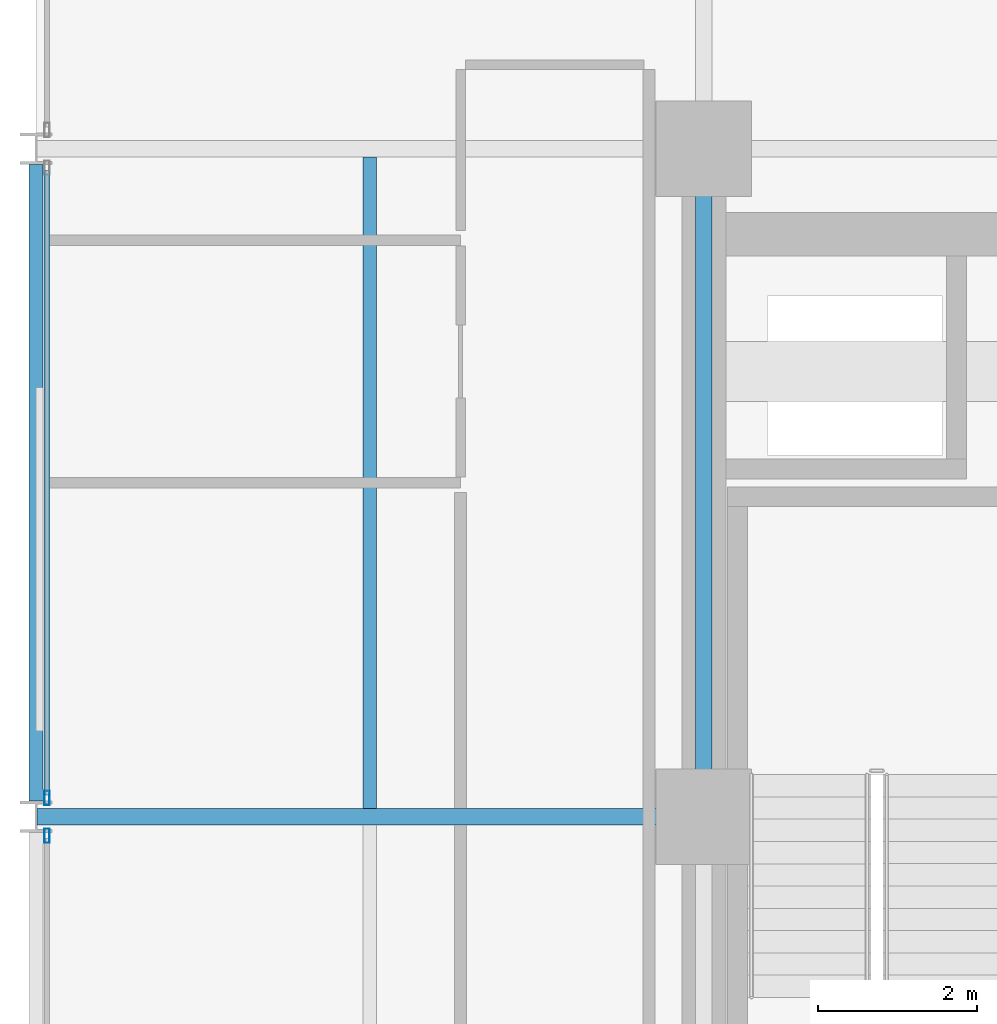
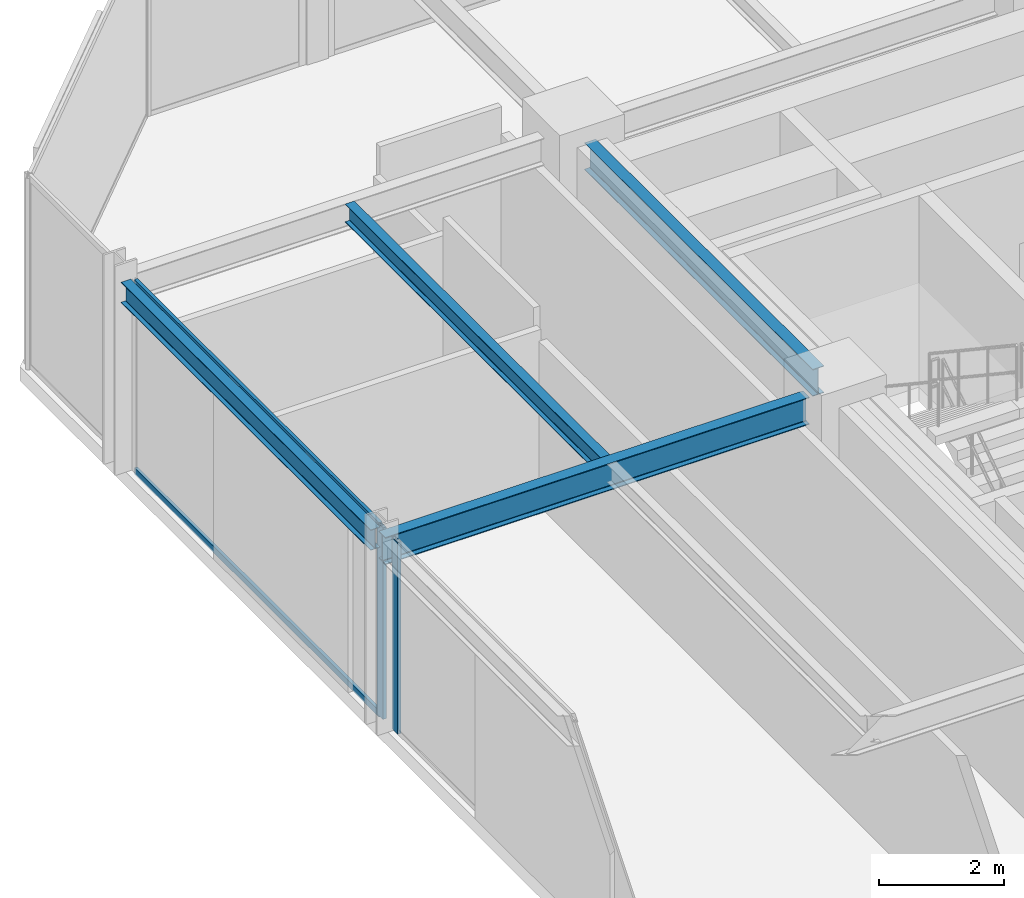
# One storey, part 16 of 29: 4 beams, 4 members, 2 elements without a shape of their own.
"""IFC4 building model written with IfcOpenShell, lengths in metres."""

from ifc_helpers import new_model, si_unit, direction, frame, origin, origin_2d, place, context, subcontext, project, spatial, hollow_rectangle, i_section, extrude, material, layer, layer_set, material_profile, profile_set, type_object, element, aggregate, save


model = new_model("IFC4")

# Units and contexts
model_context = context("Model", 3, precision=1e-05, world=origin(), true_north=direction((0.0, 1.0)))
body_context = subcontext(model_context, "Body", "Model", "MODEL_VIEW")
ifc_project = project(units=[si_unit("LENGTHUNIT", "METRE"), si_unit("AREAUNIT", "SQUARE_METRE"), si_unit("VOLUMEUNIT", "CUBIC_METRE"), si_unit("PLANEANGLEUNIT", "RADIAN"), si_unit("MASSUNIT", "GRAM", prefix="KILO")], contexts=[model_context])

# Site, building, storey
site_placement = place(None, origin())
site = spatial("IfcSite", under=ifc_project, at=site_placement, CompositionType="ELEMENT")
building_placement = place(site_placement, origin())
building = spatial("IfcBuilding", under=site, at=building_placement, Name="Nerrivon Quay Data Exchange", CompositionType="ELEMENT")
storey_placement = place(building_placement, frame((0.0, 0.0, 158.199951171875)))
storey = spatial("IfcBuildingStorey", under=building, at=storey_placement, Name="L37", CompositionType="ELEMENT", Elevation=158.199951171875)

# Beams
ifc_material_1 = material(Name="Steel Grade 350", Category="steel")
ifc_material_profile_1 = material_profile(ifc_material_1, i_section(OverallWidth=0.208984375, OverallDepth=0.532958984375, WebThickness=0.01025390625, FlangeThickness=0.015625, FilletRadius=0.013916015625, at=origin_2d()), Name="530UB92.4")
ifc_profile_set_1 = profile_set([ifc_material_profile_1], Name="Steel Grade 350")
beam_type_1 = type_object("IfcBeamType", Name="BM-G3-530UB92", PredefinedType="BEAM", material=ifc_profile_set_1)
beam_1_placement = place(storey_placement, frame((0.012451171875, 33.60009765625, 3.483642578125), z_axis=(1.0, 0.0, 0.0), x_axis=(0.0, 1.0, 0.0)))
element("IfcBeam", 1, at=beam_1_placement, inside=storey, type_object=beam_type_1, Name="L37 EW Girder Y=33.6 (0.0..8.4)", PredefinedType="BEAM", context=body_context, shape_type="SweptSolid", body=[
    extrude(i_section(OverallWidth=0.208984375, OverallDepth=0.532958984375, WebThickness=0.01025390625, FlangeThickness=0.015625, FilletRadius=0.013916015625, at=origin_2d()), origin(), (0.0, 0.0, 1.0), 7.84765625),
])
ifc_material_profile_2 = material_profile(ifc_material_1, i_section(OverallWidth=0.208984375, OverallDepth=0.528076171875, WebThickness=0.009521484375, FlangeThickness=0.01318359375, FilletRadius=0.013916015625, at=origin_2d()), Name="530UB82.0")
ifc_profile_set_2 = profile_set([ifc_material_profile_2], Name="Steel Grade 350")
beam_type_2 = type_object("IfcBeamType", Name="BM-G4-530UB82", PredefinedType="BEAM", material=ifc_profile_set_2)
beam_2_placement = place(storey_placement, frame((8.39990234375, 34.139892578125, 3.486083984375), z_axis=(0.0, 1.0, 0.0), x_axis=(-1.0, 0.0, 0.0)))
element("IfcBeam", 2, at=beam_2_placement, inside=storey, type_object=beam_type_2, Name="L37 NS Girder X=8.4 (33.6..42.0)", PredefinedType="BEAM", context=body_context, shape_type="SweptSolid", body=[
    extrude(i_section(OverallWidth=0.208984375, OverallDepth=0.528076171875, WebThickness=0.009521484375, FlangeThickness=0.01318359375, FilletRadius=0.013916015625, at=origin_2d()), origin(), (0.0, 0.0, 1.0), 7.320068359375),
])
ifc_material_profile_3 = material_profile(ifc_material_1, i_section(OverallWidth=0.1708984375, OverallDepth=0.35595703125, WebThickness=0.00732421875, FlangeThickness=0.011474609375, FilletRadius=0.011474609375, at=origin_2d()), Name="360UB50.7")
ifc_profile_set_3 = profile_set([ifc_material_profile_3], Name="Steel Grade 350")
beam_type_3 = type_object("IfcBeamType", Name="BM-J4-360UB51", PredefinedType="JOIST", material=ifc_profile_set_3)
beam_3_placement = place(storey_placement, frame((4.199951171875, 33.70458984375, 3.572021484375), z_axis=(0.0, 1.0, 0.0), x_axis=(-1.0, 0.0, 0.0)))
element("IfcBeam", 3, at=beam_3_placement, inside=storey, type_object=beam_type_3, Name="L37 Secondary Joist X=4.2 (33.6..42.0)", PredefinedType="JOIST", context=body_context, shape_type="SweptSolid", body=[
    extrude(i_section(OverallWidth=0.1708984375, OverallDepth=0.35595703125, WebThickness=0.00732421875, FlangeThickness=0.011474609375, FilletRadius=0.011474609375, at=origin_2d()), origin(), (0.0, 0.0, 1.0), 8.19091796875),
])
ifc_material_profile_4 = material_profile(ifc_material_1, i_section(OverallWidth=0.177978515625, OverallDepth=0.403076171875, WebThickness=0.007568359375, FlangeThickness=0.010986328125, FilletRadius=0.011474609375, at=origin_2d()), Name="410UB53.7")
ifc_profile_set_4 = profile_set([ifc_material_profile_4], Name="Steel Grade 350")
beam_type_4 = type_object("IfcBeamType", Name="BM-SP2-410UB54", PredefinedType="SPANDREL", material=ifc_profile_set_4)
beam_4_placement = place(storey_placement, frame((0.0, 33.800048828125, 3.548583984375), z_axis=(0.0, 1.0, 0.0), x_axis=(-1.0, 0.0, 0.0)))
element("IfcBeam", 4, at=beam_4_placement, inside=storey, type_object=beam_type_4, Name="L37 NS Girder X=0.0 (33.6..42.0)", PredefinedType="SPANDREL", context=body_context, shape_type="SweptSolid", body=[
    extrude(i_section(OverallWidth=0.177978515625, OverallDepth=0.403076171875, WebThickness=0.007568359375, FlangeThickness=0.010986328125, FilletRadius=0.011474609375, at=origin_2d()), origin(), (0.0, 0.0, 1.0), 8.0),
])

# Curtain wall, member
ifc_material_2 = material(Name="Anodised aluminium 6063-T6", Category="aluminium")
ifc_layer = layer(ifc_material_2, 0.2099609375)
ifc_layer_set = layer_set([ifc_layer], Name="Anodised aluminium 6063-T6")
curtain_wall_type = type_object("IfcCurtainWallType", Name="CW-SYS-02", PredefinedType="NOTDEFINED", material=ifc_layer_set)
curtain_wall_1_placement = place(storey_placement, origin())
curtain_wall_1 = element("IfcCurtainWall", 5, at=curtain_wall_1_placement, inside=storey, type_object=curtain_wall_type, Name="L37 Unitised Curtain Wall 14", PredefinedType="NOTDEFINED")
ifc_material_profile_5 = material_profile(ifc_material_2, hollow_rectangle(XDim=0.06494140625, YDim=0.179931640625, WallThickness=0.00341796875, at=origin_2d()), Name="ALU-MULL-180x65")
ifc_profile_set_5 = profile_set([ifc_material_profile_5], Name="Anodised aluminium 6063-T6")
member_type_1 = type_object("IfcMemberType", Name="CWM-180x65", PredefinedType="MULLION", material=ifc_profile_set_5)
member_1_placement = place(storey_placement, frame((0.139892578125, 33.362548828125, 0.0), z_axis=(0.0, 0.0, 1.0), x_axis=(-1.0, 0.0, 0.0)))
member_1 = element("IfcMember", 6, at=member_1_placement, type_object=member_type_1, Name="CW02 mullion 2", PredefinedType="MULLION", context=body_context, shape_type="SweptSolid", body=[
    extrude(hollow_rectangle(XDim=0.06494140625, YDim=0.179931640625, WallThickness=0.00341796875, at=origin_2d()), origin(), (0.0, 0.0, 1.0), 3.75),
])
aggregate(curtain_wall_1, [member_1])

# Curtain wall, members
curtain_wall_2_placement = place(storey_placement, origin())
curtain_wall_2 = element("IfcCurtainWall", 7, at=curtain_wall_2_placement, inside=storey, type_object=curtain_wall_type, Name="L37 Unitised Curtain Wall 15", PredefinedType="NOTDEFINED")
member_2_placement = place(storey_placement, frame((0.139892578125, 33.83740234375, 0.0), z_axis=(0.0, 0.0, 1.0), x_axis=(-1.0, 0.0, 0.0)))
member_2 = element("IfcMember", 8, at=member_2_placement, type_object=member_type_1, Name="CW02 mullion 1", PredefinedType="MULLION", context=body_context, shape_type="SweptSolid", body=[
    extrude(hollow_rectangle(XDim=0.06494140625, YDim=0.179931640625, WallThickness=0.00341796875, at=origin_2d()), origin(), (0.0, 0.0, 1.0), 3.75),
])
ifc_material_profile_6 = material_profile(ifc_material_2, hollow_rectangle(XDim=0.06005859375, YDim=0.1201171875, WallThickness=0.003173828125, at=origin_2d()), Name="ALU-TRAN-120x60")
ifc_profile_set_6 = profile_set([ifc_material_profile_6], Name="Anodised aluminium 6063-T6")
member_type_2 = type_object("IfcMemberType", Name="CWT-120x60", PredefinedType="USERDEFINED", material=ifc_profile_set_6)
member_3_placement = place(storey_placement, frame((0.139892578125, 33.875, 0.032470703125), z_axis=(0.0, 1.0, 0.0), x_axis=(-1.0, 0.0, 0.0)))
member_3 = element("IfcMember", 9, at=member_3_placement, type_object=member_type_2, Name="CW02 transom 1.1", ObjectType="TRANSOM", PredefinedType="USERDEFINED", context=body_context, shape_type="SweptSolid", body=[
    extrude(hollow_rectangle(XDim=0.06005859375, YDim=0.1201171875, WallThickness=0.003173828125, at=origin_2d()), origin(), (0.0, 0.0, 1.0), 7.85009765625),
])
member_4_placement = place(storey_placement, frame((0.139892578125, 33.875, 3.717529296875), z_axis=(0.0, 1.0, 0.0), x_axis=(-1.0, 0.0, 0.0)))
member_4 = element("IfcMember", 10, at=member_4_placement, type_object=member_type_2, Name="CW02 transom 1.2", ObjectType="TRANSOM", PredefinedType="USERDEFINED", context=body_context, shape_type="SweptSolid", body=[
    extrude(hollow_rectangle(XDim=0.06005859375, YDim=0.1201171875, WallThickness=0.003173828125, at=origin_2d()), origin(), (0.0, 0.0, 1.0), 7.85009765625),
])
aggregate(curtain_wall_2, [member_2, member_3, member_4])

save(model, "model.ifc")
